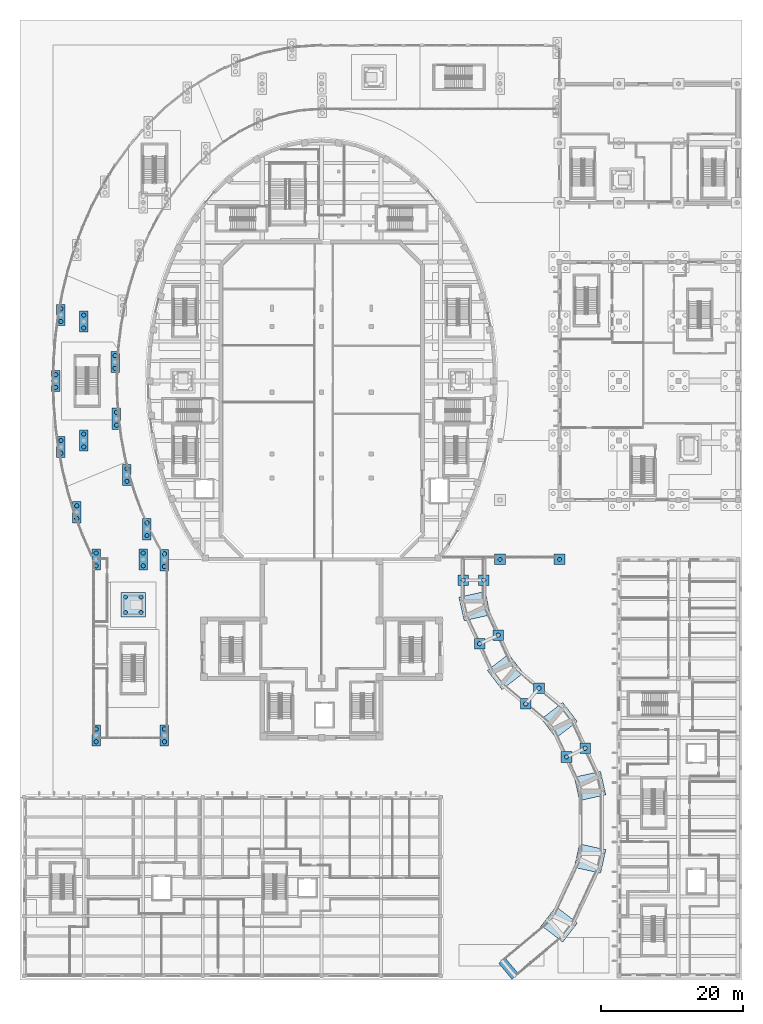
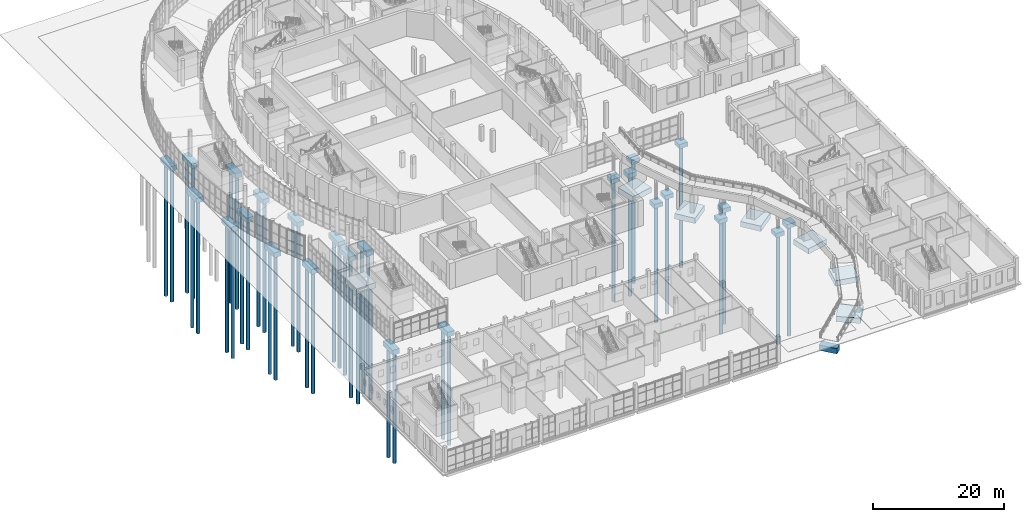
# One storey, part 1 of 110: 44 piles, 33 footings.
"""IFC4 building model written with IfcOpenShell, lengths in metres."""

from ifc_helpers import new_model, si_unit, direction, frame, origin, origin_2d, place, context, subcontext, project, spatial, polyline, circle, outline, extrude, material, material_profile, profile_set, type_object, element, save


model = new_model("IFC4")

# Units and contexts
model_context = context("Model", 3, precision=1e-05, world=origin(), true_north=direction((0.0, 1.0)))
body_context = subcontext(model_context, "Body", "Model", "MODEL_VIEW")
ifc_project = project(units=[si_unit("LENGTHUNIT", "METRE"), si_unit("AREAUNIT", "SQUARE_METRE"), si_unit("VOLUMEUNIT", "CUBIC_METRE"), si_unit("PLANEANGLEUNIT", "RADIAN"), si_unit("MASSUNIT", "GRAM", prefix="KILO")], contexts=[model_context])

# Site, building, storey
site_placement = place(None, origin())
site = spatial("IfcSite", under=ifc_project, at=site_placement, CompositionType="ELEMENT")
building_placement = place(site_placement, origin())
building = spatial("IfcBuilding", under=site, at=building_placement, Name="Larchfold Concert Hall", CompositionType="ELEMENT")
storey_placement = place(building_placement, origin())
storey = spatial("IfcBuildingStorey", under=building, at=storey_placement, Name="L00", CompositionType="ELEMENT", Elevation=0.0)

# Piles
ifc_material_1 = material(Name="Concrete C30/37", Category="concrete")
ifc_material_profile = material_profile(ifc_material_1, circle(Radius=0.300048828125, at=origin_2d()))
ifc_profile_set = profile_set([ifc_material_profile], Name="Concrete C30/37")
pile_type = type_object("IfcPileType", Name="Bored pile D600", PredefinedType="BORED", material=ifc_profile_set)
for number, where, z_axis, x_axis, name in (
    (1, (5.0458984375, 83.699951171875, -1.199951171875), (0.0, 0.0, -1.0), (1.0, 0.0, 0.0), "Pile P0001"),
    (2, (5.0458984375, 85.5, -1.199951171875), (0.0, 0.0, -1.0), (1.0, 0.0, 0.0), "Pile P0002"),
):
    element("IfcPile", number, at=place(storey_placement, frame(where, z_axis=z_axis, x_axis=x_axis)), inside=storey, type_object=pile_type, Name=name, PredefinedType="BORED", context=body_context, shape_type="SweptSolid", body=[
        extrude(circle(Radius=0.300048828125, at=origin_2d()), origin(), (0.0, 0.0, 1.0), 24.800048828125),
    ])
for number, where, z_axis, x_axis, name in (
    (3, (5.77294921875, 74.389892578125, -1.199951171875), (0.0, 0.0, -1.0), (1.0, 0.0, 0.0), "Pile P0003"),
    (4, (5.77294921875, 76.18994140625, -1.199951171875), (0.0, 0.0, -1.0), (1.0, 0.0, 0.0), "Pile P0004"),
):
    element("IfcPile", number, at=place(storey_placement, frame(where, z_axis=z_axis, x_axis=x_axis)), inside=storey, type_object=pile_type, Name=name, PredefinedType="BORED", context=body_context, shape_type="SweptSolid", body=[
        extrude(circle(Radius=0.300048828125, at=origin_2d()), origin(), (0.0, 0.0, 1.0), 24.02978515625),
    ])
for number, where, z_axis, x_axis, name in (
    (5, (5.77294921875, 93.010986328125, -1.199951171875), (0.0, 0.0, -1.0), (1.0, 0.0, 0.0), "Pile P0005"),
    (6, (5.77294921875, 94.81103515625, -1.199951171875), (0.0, 0.0, -1.0), (1.0, 0.0, 0.0), "Pile P0006"),
):
    element("IfcPile", number, at=place(storey_placement, frame(where, z_axis=z_axis, x_axis=x_axis)), inside=storey, type_object=pile_type, Name=name, PredefinedType="BORED", context=body_context, shape_type="SweptSolid", body=[
        extrude(circle(Radius=0.300048828125, at=origin_2d()), origin(), (0.0, 0.0, 1.0), 24.800048828125),
    ])
for number, where, z_axis, x_axis, name in (
    (7, (8.01806640625, 65.178955078125, -1.199951171875), (0.0, 0.0, -1.0), (1.0, 0.0, 0.0), "Pile P0007"),
    (8, (8.01806640625, 66.97900390625, -1.199951171875), (0.0, 0.0, -1.0), (1.0, 0.0, 0.0), "Pile P0008"),
):
    element("IfcPile", number, at=place(storey_placement, frame(where, z_axis=z_axis, x_axis=x_axis)), inside=storey, type_object=pile_type, Name=name, PredefinedType="BORED", context=body_context, shape_type="SweptSolid", body=[
        extrude(circle(Radius=0.300048828125, at=origin_2d()), origin(), (0.0, 0.0, 1.0), 23.267578125),
    ])
for number, where, z_axis, x_axis, name in (
    (9, (9.0, 75.300048828125, -1.199951171875), (0.0, 0.0, -1.0), (1.0, 0.0, 0.0), "Pile P0011"),
    (10, (9.0, 77.10009765625, -1.199951171875), (0.0, 0.0, -1.0), (1.0, 0.0, 0.0), "Pile P0012"),
):
    element("IfcPile", number, at=place(storey_placement, frame(where, z_axis=z_axis, x_axis=x_axis)), inside=storey, type_object=pile_type, Name=name, PredefinedType="BORED", context=body_context, shape_type="SweptSolid", body=[
        extrude(circle(Radius=0.300048828125, at=origin_2d()), origin(), (0.0, 0.0, 1.0), 24.10498046875),
    ])
for number, where, z_axis, x_axis, name in (
    (11, (9.0, 92.10009765625, -1.199951171875), (0.0, 0.0, -1.0), (1.0, 0.0, 0.0), "Pile P0013"),
    (12, (9.0, 93.89990234375, -1.199951171875), (0.0, 0.0, -1.0), (1.0, 0.0, 0.0), "Pile P0014"),
):
    element("IfcPile", number, at=place(storey_placement, frame(where, z_axis=z_axis, x_axis=x_axis)), inside=storey, type_object=pile_type, Name=name, PredefinedType="BORED", context=body_context, shape_type="SweptSolid", body=[
        extrude(circle(Radius=0.300048828125, at=origin_2d()), origin(), (0.0, 0.0, 1.0), 24.800048828125),
    ])
for number, where, z_axis, x_axis, name in (
    (13, (10.758056640625, 33.64990234375, -1.199951171875), (0.0, 0.0, -1.0), (1.0, 0.0, 0.0), "Pile P0015"),
    (14, (10.758056640625, 35.449951171875, -1.199951171875), (0.0, 0.0, -1.0), (1.0, 0.0, 0.0), "Pile P0016"),
):
    element("IfcPile", number, at=place(storey_placement, frame(where, z_axis=z_axis, x_axis=x_axis)), inside=storey, type_object=pile_type, Name=name, PredefinedType="BORED", context=body_context, shape_type="SweptSolid", body=[
        extrude(circle(Radius=0.300048828125, at=origin_2d()), origin(), (0.0, 0.0, 1.0), 20.65869140625),
    ])
for number, where, z_axis, x_axis, name in (
    (15, (10.758056640625, 58.5, -1.199951171875), (0.0, 0.0, -1.0), (1.0, 0.0, 0.0), "Pile P0017"),
    (16, (10.758056640625, 60.300048828125, -1.199951171875), (0.0, 0.0, -1.0), (1.0, 0.0, 0.0), "Pile P0018"),
):
    element("IfcPile", number, at=place(storey_placement, frame(where, z_axis=z_axis, x_axis=x_axis)), inside=storey, type_object=pile_type, Name=name, PredefinedType="BORED", context=body_context, shape_type="SweptSolid", body=[
        extrude(circle(Radius=0.300048828125, at=origin_2d()), origin(), (0.0, 0.0, 1.0), 22.71484375),
    ])
for number, where, z_axis, x_axis, name in (
    (17, (13.41796875, 86.387939453125, -1.199951171875), (0.0, 0.0, -1.0), (1.0, 0.0, 0.0), "Pile P0021"),
    (18, (13.41796875, 88.18798828125, -1.199951171875), (0.0, 0.0, -1.0), (1.0, 0.0, 0.0), "Pile P0022"),
):
    element("IfcPile", number, at=place(storey_placement, frame(where, z_axis=z_axis, x_axis=x_axis)), inside=storey, type_object=pile_type, Name=name, PredefinedType="BORED", context=body_context, shape_type="SweptSolid", body=[
        extrude(circle(Radius=0.300048828125, at=origin_2d()), origin(), (0.0, 0.0, 1.0), 24.800048828125),
    ])
for number, where, z_axis, x_axis, name in (
    (19, (13.625, 78.35693359375, -1.199951171875), (0.0, 0.0, -1.0), (1.0, 0.0, 0.0), "Pile P0023"),
    (20, (13.625, 80.156982421875, -1.199951171875), (0.0, 0.0, -1.0), (1.0, 0.0, 0.0), "Pile P0024"),
):
    element("IfcPile", number, at=place(storey_placement, frame(where, z_axis=z_axis, x_axis=x_axis)), inside=storey, type_object=pile_type, Name=name, PredefinedType="BORED", context=body_context, shape_type="SweptSolid", body=[
        extrude(circle(Radius=0.300048828125, at=origin_2d()), origin(), (0.0, 0.0, 1.0), 24.35791015625),
    ])
for number, where, z_axis, x_axis, name in (
    (21, (15.09912109375, 70.427001953125, -1.199951171875), (0.0, 0.0, -1.0), (1.0, 0.0, 0.0), "Pile P0027"),
    (22, (15.09912109375, 72.22705078125, -1.199951171875), (0.0, 0.0, -1.0), (1.0, 0.0, 0.0), "Pile P0028"),
):
    element("IfcPile", number, at=place(storey_placement, frame(where, z_axis=z_axis, x_axis=x_axis)), inside=storey, type_object=pile_type, Name=name, PredefinedType="BORED", context=body_context, shape_type="SweptSolid", body=[
        extrude(circle(Radius=0.300048828125, at=origin_2d()), origin(), (0.0, 0.0, 1.0), 23.70166015625),
    ])
for number, where, z_axis, x_axis, name in (
    (23, (17.39990234375, 58.5, -1.199951171875), (0.0, 0.0, -1.0), (1.0, 0.0, 0.0), "Pile P0031"),
    (24, (17.39990234375, 60.300048828125, -1.199951171875), (0.0, 0.0, -1.0), (1.0, 0.0, 0.0), "Pile P0032"),
):
    element("IfcPile", number, at=place(storey_placement, frame(where, z_axis=z_axis, x_axis=x_axis)), inside=storey, type_object=pile_type, Name=name, PredefinedType="BORED", context=body_context, shape_type="SweptSolid", body=[
        extrude(circle(Radius=0.300048828125, at=origin_2d()), origin(), (0.0, 0.0, 1.0), 22.71484375),
    ])
for number, where, z_axis, x_axis, name in (
    (25, (17.93310546875, 62.780029296875, -1.199951171875), (0.0, 0.0, -1.0), (1.0, 0.0, 0.0), "Pile P0035"),
    (26, (17.93310546875, 64.580078125, -1.199951171875), (0.0, 0.0, -1.0), (1.0, 0.0, 0.0), "Pile P0036"),
):
    element("IfcPile", number, at=place(storey_placement, frame(where, z_axis=z_axis, x_axis=x_axis)), inside=storey, type_object=pile_type, Name=name, PredefinedType="BORED", context=body_context, shape_type="SweptSolid", body=[
        extrude(circle(Radius=0.300048828125, at=origin_2d()), origin(), (0.0, 0.0, 1.0), 23.069091796875),
    ])
for number, where, z_axis, x_axis, name in (
    (27, (20.39892578125, 33.64990234375, -1.199951171875), (0.0, 0.0, -1.0), (1.0, 0.0, 0.0), "Pile P0039"),
    (28, (20.39892578125, 35.449951171875, -1.199951171875), (0.0, 0.0, -1.0), (1.0, 0.0, 0.0), "Pile P0040"),
):
    element("IfcPile", number, at=place(storey_placement, frame(where, z_axis=z_axis, x_axis=x_axis)), inside=storey, type_object=pile_type, Name=name, PredefinedType="BORED", context=body_context, shape_type="SweptSolid", body=[
        extrude(circle(Radius=0.300048828125, at=origin_2d()), origin(), (0.0, 0.0, 1.0), 20.65869140625),
    ])
for number, where, z_axis, x_axis, name in (
    (29, (20.39892578125, 58.40087890625, -1.199951171875), (0.0, 0.0, -1.0), (1.0, 0.0, 0.0), "Pile P0041"),
    (30, (20.39892578125, 60.200927734375, -1.199951171875), (0.0, 0.0, -1.0), (1.0, 0.0, 0.0), "Pile P0042"),
):
    element("IfcPile", number, at=place(storey_placement, frame(where, z_axis=z_axis, x_axis=x_axis)), inside=storey, type_object=pile_type, Name=name, PredefinedType="BORED", context=body_context, shape_type="SweptSolid", body=[
        extrude(circle(Radius=0.300048828125, at=origin_2d()), origin(), (0.0, 0.0, 1.0), 22.706787109375),
    ])
pile_1_placement = place(storey_placement, frame((62.599853515625, 56.471923828125, -1.10009765625), z_axis=(0.0, 0.0, -1.0), x_axis=(1.0, 0.0, 0.0)))
element("IfcPile", 31, at=pile_1_placement, inside=storey, type_object=pile_type, Name="Pile P0061", PredefinedType="BORED", context=body_context, shape_type="SweptSolid", body=[
    extrude(circle(Radius=0.300048828125, at=origin_2d()), origin(), (0.0, 0.0, 1.0), 22.572509765625),
])
pile_2_placement = place(storey_placement, frame((64.91650390625, 47.486083984375, -1.10009765625), z_axis=(0.0, 0.0, -1.0), x_axis=(1.0, 0.0, 0.0)))
element("IfcPile", 32, at=pile_2_placement, inside=storey, type_object=pile_type, Name="Pile P0062", PredefinedType="BORED", context=body_context, shape_type="SweptSolid", body=[
    extrude(circle(Radius=0.300048828125, at=origin_2d()), origin(), (0.0, 0.0, 1.0), 21.8291015625),
])
pile_3_placement = place(storey_placement, frame((65.499755859375, 56.471923828125, -1.10009765625), z_axis=(0.0, 0.0, -1.0), x_axis=(1.0, 0.0, 0.0)))
element("IfcPile", 33, at=pile_3_placement, inside=storey, type_object=pile_type, Name="Pile P0063", PredefinedType="BORED", context=body_context, shape_type="SweptSolid", body=[
    extrude(circle(Radius=0.300048828125, at=origin_2d()), origin(), (0.0, 0.0, 1.0), 22.572509765625),
])
pile_4_placement = place(storey_placement, frame((67.544921875, 48.711669921875, -1.10009765625), z_axis=(0.0, 0.0, -1.0), x_axis=(1.0, 0.0, 0.0)))
element("IfcPile", 34, at=pile_4_placement, inside=storey, type_object=pile_type, Name="Pile P0064", PredefinedType="BORED", context=body_context, shape_type="SweptSolid", body=[
    extrude(circle(Radius=0.300048828125, at=origin_2d()), origin(), (0.0, 0.0, 1.0), 21.930419921875),
])
pile_5_placement = place(storey_placement, frame((67.800048828125, 59.39990234375, -1.10009765625), z_axis=(0.0, 0.0, -1.0), x_axis=(1.0, 0.0, 0.0)))
element("IfcPile", 35, at=pile_5_placement, inside=storey, type_object=pile_type, Name="Pile P0065", PredefinedType="BORED", context=body_context, shape_type="SweptSolid", body=[
    extrude(circle(Radius=0.300048828125, at=origin_2d()), origin(), (0.0, 0.0, 1.0), 22.81494140625),
])
pile_6_placement = place(storey_placement, frame((71.432373046875, 38.99462890625, -1.10009765625), z_axis=(0.0, 0.0, -1.0), x_axis=(1.0, 0.0, 0.0)))
element("IfcPile", 36, at=pile_6_placement, inside=storey, type_object=pile_type, Name="Pile P0069", PredefinedType="BORED", context=body_context, shape_type="SweptSolid", body=[
    extrude(circle(Radius=0.300048828125, at=origin_2d()), origin(), (0.0, 0.0, 1.0), 21.12646484375),
])
pile_7_placement = place(storey_placement, frame((73.296630859375, 41.216064453125, -1.10009765625), z_axis=(0.0, 0.0, -1.0), x_axis=(1.0, 0.0, 0.0)))
element("IfcPile", 37, at=pile_7_placement, inside=storey, type_object=pile_type, Name="Pile P0070", PredefinedType="BORED", context=body_context, shape_type="SweptSolid", body=[
    extrude(circle(Radius=0.300048828125, at=origin_2d()), origin(), (0.0, 0.0, 1.0), 21.310302734375),
])
pile_8_placement = place(storey_placement, frame((76.199951171875, 59.39990234375, -1.10009765625), z_axis=(0.0, 0.0, -1.0), x_axis=(1.0, 0.0, 0.0)))
element("IfcPile", 38, at=pile_8_placement, inside=storey, type_object=pile_type, Name="Pile P0075", PredefinedType="BORED", context=body_context, shape_type="SweptSolid", body=[
    extrude(circle(Radius=0.300048828125, at=origin_2d()), origin(), (0.0, 0.0, 1.0), 22.81494140625),
])
pile_9_placement = place(storey_placement, frame((77.18408203125, 31.498779296875, -1.10009765625), z_axis=(0.0, 0.0, -1.0), x_axis=(1.0, 0.0, 0.0)))
element("IfcPile", 39, at=pile_9_placement, inside=storey, type_object=pile_type, Name="Pile P0099", PredefinedType="BORED", context=body_context, shape_type="SweptSolid", body=[
    extrude(circle(Radius=0.300048828125, at=origin_2d()), origin(), (0.0, 0.0, 1.0), 20.50634765625),
])
pile_10_placement = place(storey_placement, frame((79.812255859375, 32.724365234375, -1.10009765625), z_axis=(0.0, 0.0, -1.0), x_axis=(1.0, 0.0, 0.0)))
element("IfcPile", 40, at=pile_10_placement, inside=storey, type_object=pile_type, Name="Pile P0100", PredefinedType="BORED", context=body_context, shape_type="SweptSolid", body=[
    extrude(circle(Radius=0.300048828125, at=origin_2d()), origin(), (0.0, 0.0, 1.0), 20.607666015625),
])
pile_11_placement = place(storey_placement, frame((14.900146484375, 51.900146484375, -2.300048828125), z_axis=(0.0, 0.0, -1.0), x_axis=(1.0, 0.0, 0.0)))
element("IfcPile", 41, at=pile_11_placement, inside=storey, type_object=pile_type, Name="Pile P0182", PredefinedType="BORED", context=body_context, shape_type="SweptSolid", body=[
    extrude(circle(Radius=0.300048828125, at=origin_2d()), origin(), (0.0, 0.0, 1.0), 20.994384765625),
])
pile_12_placement = place(storey_placement, frame((14.900146484375, 54.10009765625, -2.300048828125), z_axis=(0.0, 0.0, -1.0), x_axis=(1.0, 0.0, 0.0)))
element("IfcPile", 42, at=pile_12_placement, inside=storey, type_object=pile_type, Name="Pile P0183", PredefinedType="BORED", context=body_context, shape_type="SweptSolid", body=[
    extrude(circle(Radius=0.300048828125, at=origin_2d()), origin(), (0.0, 0.0, 1.0), 21.17626953125),
])
pile_13_placement = place(storey_placement, frame((17.10009765625, 51.900146484375, -2.300048828125), z_axis=(0.0, 0.0, -1.0), x_axis=(1.0, 0.0, 0.0)))
element("IfcPile", 43, at=pile_13_placement, inside=storey, type_object=pile_type, Name="Pile P0184", PredefinedType="BORED", context=body_context, shape_type="SweptSolid", body=[
    extrude(circle(Radius=0.300048828125, at=origin_2d()), origin(), (0.0, 0.0, 1.0), 20.994384765625),
])
pile_14_placement = place(storey_placement, frame((17.10009765625, 54.10009765625, -2.300048828125), z_axis=(0.0, 0.0, -1.0), x_axis=(1.0, 0.0, 0.0)))
element("IfcPile", 44, at=pile_14_placement, inside=storey, type_object=pile_type, Name="Pile P0185", PredefinedType="BORED", context=body_context, shape_type="SweptSolid", body=[
    extrude(circle(Radius=0.300048828125, at=origin_2d()), origin(), (0.0, 0.0, 1.0), 21.17626953125),
])

# Footings
ifc_material_2 = material(Name="Concrete C30/37", Category="concrete")
footing_type_1 = type_object("IfcFootingType", Name="Pad footing 3400x3400x1000", PredefinedType="PAD_FOOTING", material=ifc_material_2)
footing_1_placement = place(storey_placement, frame((0.0, 0.0, -2.39990234375)))
element("IfcFooting", 45, at=footing_1_placement, inside=storey, type_object=footing_type_1, Name="Pit footing PC0080", PredefinedType="PAD_FOOTING", context=body_context, shape_type="SweptSolid", body=[
    extrude(outline(polyline([(17.7001953125, 51.300048828125), (17.7001953125, 54.7001953125), (14.300048828125, 54.7001953125), (14.300048828125, 51.300048828125), (17.7001953125, 51.300048828125)])), origin(), (0.0, 0.0, 1.0), 1.0),
])
ifc_material_3 = material(Name="Concrete C30/37", Category="concrete")
footing_type_2 = type_object("IfcFootingType", Name="Pile cap 1200x3000x900", PredefinedType="PILE_CAP", material=ifc_material_3)
footing_2_placement = place(storey_placement, frame((0.0, 0.0, -1.300048828125)))
element("IfcFooting", 46, at=footing_2_placement, inside=storey, type_object=footing_type_2, Name="Pile cap PC0001", PredefinedType="PILE_CAP", context=body_context, shape_type="SweptSolid", body=[
    extrude(outline(polyline([(5.64599609375, 83.10009765625), (5.64599609375, 86.10009765625), (4.446044921875, 86.10009765625), (4.446044921875, 83.10009765625), (5.64599609375, 83.10009765625)])), origin(), (0.0, 0.0, 1.0), 0.900146484375),
])
footing_3_placement = place(storey_placement, frame((0.0, 0.0, -1.300048828125)))
element("IfcFooting", 47, at=footing_3_placement, inside=storey, type_object=footing_type_2, Name="Pile cap PC0002", PredefinedType="PILE_CAP", context=body_context, shape_type="SweptSolid", body=[
    extrude(outline(polyline([(6.373046875, 73.7900390625), (6.373046875, 76.7900390625), (5.173095703125, 76.7900390625), (5.173095703125, 73.7900390625), (6.373046875, 73.7900390625)])), origin(), (0.0, 0.0, 1.0), 0.900146484375),
])
footing_4_placement = place(storey_placement, frame((0.0, 0.0, -1.300048828125)))
element("IfcFooting", 48, at=footing_4_placement, inside=storey, type_object=footing_type_2, Name="Pile cap PC0003", PredefinedType="PILE_CAP", context=body_context, shape_type="SweptSolid", body=[
    extrude(outline(polyline([(6.373046875, 92.410888671875), (6.373046875, 95.410888671875), (5.173095703125, 95.410888671875), (5.173095703125, 92.410888671875), (6.373046875, 92.410888671875)])), origin(), (0.0, 0.0, 1.0), 0.900146484375),
])
footing_5_placement = place(storey_placement, frame((0.0, 0.0, -1.300048828125)))
element("IfcFooting", 49, at=footing_5_placement, inside=storey, type_object=footing_type_2, Name="Pile cap PC0004", PredefinedType="PILE_CAP", context=body_context, shape_type="SweptSolid", body=[
    extrude(outline(polyline([(8.617919921875, 64.5791015625), (8.617919921875, 67.5791015625), (7.41796875, 67.5791015625), (7.41796875, 64.5791015625), (8.617919921875, 64.5791015625)])), origin(), (0.0, 0.0, 1.0), 0.900146484375),
])
footing_6_placement = place(storey_placement, frame((0.0, 0.0, -1.300048828125)))
element("IfcFooting", 50, at=footing_6_placement, inside=storey, type_object=footing_type_2, Name="Pile cap PC0006", PredefinedType="PILE_CAP", context=body_context, shape_type="SweptSolid", body=[
    extrude(outline(polyline([(9.60009765625, 74.699951171875), (9.60009765625, 77.699951171875), (8.39990234375, 77.699951171875), (8.39990234375, 74.699951171875), (9.60009765625, 74.699951171875)])), origin(), (0.0, 0.0, 1.0), 0.900146484375),
])
footing_7_placement = place(storey_placement, frame((0.0, 0.0, -1.300048828125)))
element("IfcFooting", 51, at=footing_7_placement, inside=storey, type_object=footing_type_2, Name="Pile cap PC0007", PredefinedType="PILE_CAP", context=body_context, shape_type="SweptSolid", body=[
    extrude(outline(polyline([(9.60009765625, 91.5), (9.60009765625, 94.5), (8.39990234375, 94.5), (8.39990234375, 91.5), (9.60009765625, 91.5)])), origin(), (0.0, 0.0, 1.0), 0.900146484375),
])
footing_8_placement = place(storey_placement, frame((0.0, 0.0, -1.300048828125)))
element("IfcFooting", 52, at=footing_8_placement, inside=storey, type_object=footing_type_2, Name="Pile cap PC0008", PredefinedType="PILE_CAP", context=body_context, shape_type="SweptSolid", body=[
    extrude(outline(polyline([(11.35791015625, 33.050048828125), (11.35791015625, 36.050048828125), (10.157958984375, 36.050048828125), (10.157958984375, 33.050048828125), (11.35791015625, 33.050048828125)])), origin(), (0.0, 0.0, 1.0), 0.900146484375),
])
footing_9_placement = place(storey_placement, frame((0.0, 0.0, -1.300048828125)))
element("IfcFooting", 53, at=footing_9_placement, inside=storey, type_object=footing_type_2, Name="Pile cap PC0009", PredefinedType="PILE_CAP", context=body_context, shape_type="SweptSolid", body=[
    extrude(outline(polyline([(11.35791015625, 57.89990234375), (11.35791015625, 60.89990234375), (10.157958984375, 60.89990234375), (10.157958984375, 57.89990234375), (11.35791015625, 57.89990234375)])), origin(), (0.0, 0.0, 1.0), 0.900146484375),
])
footing_10_placement = place(storey_placement, frame((0.0, 0.0, -1.300048828125)))
element("IfcFooting", 54, at=footing_10_placement, inside=storey, type_object=footing_type_2, Name="Pile cap PC0011", PredefinedType="PILE_CAP", context=body_context, shape_type="SweptSolid", body=[
    extrude(outline(polyline([(14.01806640625, 85.7880859375), (14.01806640625, 88.7880859375), (12.818115234375, 88.7880859375), (12.818115234375, 85.7880859375), (14.01806640625, 85.7880859375)])), origin(), (0.0, 0.0, 1.0), 0.900146484375),
])
footing_11_placement = place(storey_placement, frame((0.0, 0.0, -1.300048828125)))
element("IfcFooting", 55, at=footing_11_placement, inside=storey, type_object=footing_type_2, Name="Pile cap PC0012", PredefinedType="PILE_CAP", context=body_context, shape_type="SweptSolid", body=[
    extrude(outline(polyline([(14.22509765625, 77.757080078125), (14.22509765625, 80.757080078125), (13.02490234375, 80.757080078125), (13.02490234375, 77.757080078125), (14.22509765625, 77.757080078125)])), origin(), (0.0, 0.0, 1.0), 0.900146484375),
])
footing_12_placement = place(storey_placement, frame((0.0, 0.0, -1.300048828125)))
element("IfcFooting", 56, at=footing_12_placement, inside=storey, type_object=footing_type_2, Name="Pile cap PC0014", PredefinedType="PILE_CAP", context=body_context, shape_type="SweptSolid", body=[
    extrude(outline(polyline([(15.698974609375, 69.826904296875), (15.698974609375, 72.826904296875), (14.4990234375, 72.826904296875), (14.4990234375, 69.826904296875), (15.698974609375, 69.826904296875)])), origin(), (0.0, 0.0, 1.0), 0.900146484375),
])
footing_13_placement = place(storey_placement, frame((0.0, 0.0, -1.300048828125)))
element("IfcFooting", 57, at=footing_13_placement, inside=storey, type_object=footing_type_2, Name="Pile cap PC0016", PredefinedType="PILE_CAP", context=body_context, shape_type="SweptSolid", body=[
    extrude(outline(polyline([(18.0, 57.89990234375), (18.0, 60.89990234375), (16.800048828125, 60.89990234375), (16.800048828125, 57.89990234375), (18.0, 57.89990234375)])), origin(), (0.0, 0.0, 1.0), 0.900146484375),
])
footing_14_placement = place(storey_placement, frame((0.0, 0.0, -1.300048828125)))
element("IfcFooting", 58, at=footing_14_placement, inside=storey, type_object=footing_type_2, Name="Pile cap PC0018", PredefinedType="PILE_CAP", context=body_context, shape_type="SweptSolid", body=[
    extrude(outline(polyline([(18.532958984375, 62.179931640625), (18.532958984375, 65.179931640625), (17.3330078125, 65.179931640625), (17.3330078125, 62.179931640625), (18.532958984375, 62.179931640625)])), origin(), (0.0, 0.0, 1.0), 0.900146484375),
])
footing_15_placement = place(storey_placement, frame((0.0, 0.0, -1.300048828125)))
element("IfcFooting", 59, at=footing_15_placement, inside=storey, type_object=footing_type_2, Name="Pile cap PC0020", PredefinedType="PILE_CAP", context=body_context, shape_type="SweptSolid", body=[
    extrude(outline(polyline([(20.9990234375, 33.050048828125), (20.9990234375, 36.050048828125), (19.799072265625, 36.050048828125), (19.799072265625, 33.050048828125), (20.9990234375, 33.050048828125)])), origin(), (0.0, 0.0, 1.0), 0.900146484375),
])
footing_16_placement = place(storey_placement, frame((0.0, 0.0, -1.300048828125)))
element("IfcFooting", 60, at=footing_16_placement, inside=storey, type_object=footing_type_2, Name="Pile cap PC0021", PredefinedType="PILE_CAP", context=body_context, shape_type="SweptSolid", body=[
    extrude(outline(polyline([(20.9990234375, 57.801025390625), (20.9990234375, 60.801025390625), (19.799072265625, 60.801025390625), (19.799072265625, 57.801025390625), (20.9990234375, 57.801025390625)])), origin(), (0.0, 0.0, 1.0), 0.900146484375),
])
ifc_material_4 = material(Name="Concrete C30/37", Category="concrete")
footing_type_3 = type_object("IfcFootingType", Name="Pile cap 1500x1500x800", PredefinedType="PILE_CAP", material=ifc_material_4)
footing_17_placement = place(storey_placement, frame((0.0, 0.0, -1.199951171875)))
element("IfcFooting", 61, at=footing_17_placement, inside=storey, type_object=footing_type_3, Name="Pile cap PC0031", PredefinedType="PILE_CAP", context=body_context, shape_type="SweptSolid", body=[
    extrude(outline(polyline([(63.349853515625, 55.721923828125), (63.349853515625, 57.221923828125), (61.849853515625, 57.221923828125), (61.849853515625, 55.721923828125), (63.349853515625, 55.721923828125)])), origin(), (0.0, 0.0, 1.0), 0.800048828125),
])
footing_18_placement = place(storey_placement, frame((0.0, 0.0, -1.199951171875)))
element("IfcFooting", 62, at=footing_18_placement, inside=storey, type_object=footing_type_3, Name="Pile cap PC0032", PredefinedType="PILE_CAP", context=body_context, shape_type="SweptSolid", body=[
    extrude(outline(polyline([(65.66650390625, 46.736083984375), (65.66650390625, 48.236083984375), (64.16650390625, 48.236083984375), (64.16650390625, 46.736083984375), (65.66650390625, 46.736083984375)])), origin(), (0.0, 0.0, 1.0), 0.800048828125),
])
footing_19_placement = place(storey_placement, frame((0.0, 0.0, -1.199951171875)))
element("IfcFooting", 63, at=footing_19_placement, inside=storey, type_object=footing_type_3, Name="Pile cap PC0033", PredefinedType="PILE_CAP", context=body_context, shape_type="SweptSolid", body=[
    extrude(outline(polyline([(66.249755859375, 55.721923828125), (66.249755859375, 57.221923828125), (64.749755859375, 57.221923828125), (64.749755859375, 55.721923828125), (66.249755859375, 55.721923828125)])), origin(), (0.0, 0.0, 1.0), 0.800048828125),
])
footing_20_placement = place(storey_placement, frame((0.0, 0.0, -1.199951171875)))
element("IfcFooting", 64, at=footing_20_placement, inside=storey, type_object=footing_type_3, Name="Pile cap PC0034", PredefinedType="PILE_CAP", context=body_context, shape_type="SweptSolid", body=[
    extrude(outline(polyline([(68.294921875, 47.961669921875), (68.294921875, 49.461669921875), (66.794921875, 49.461669921875), (66.794921875, 47.961669921875), (68.294921875, 47.961669921875)])), origin(), (0.0, 0.0, 1.0), 0.800048828125),
])
footing_21_placement = place(storey_placement, frame((0.0, 0.0, -1.199951171875)))
element("IfcFooting", 65, at=footing_21_placement, inside=storey, type_object=footing_type_3, Name="Pile cap PC0035", PredefinedType="PILE_CAP", context=body_context, shape_type="SweptSolid", body=[
    extrude(outline(polyline([(68.550048828125, 58.64990234375), (68.550048828125, 60.14990234375), (67.050048828125, 60.14990234375), (67.050048828125, 58.64990234375), (68.550048828125, 58.64990234375)])), origin(), (0.0, 0.0, 1.0), 0.800048828125),
])
footing_22_placement = place(storey_placement, frame((0.0, 0.0, -1.199951171875)))
element("IfcFooting", 66, at=footing_22_placement, inside=storey, type_object=footing_type_3, Name="Pile cap PC0038", PredefinedType="PILE_CAP", context=body_context, shape_type="SweptSolid", body=[
    extrude(outline(polyline([(72.182373046875, 38.24462890625), (72.182373046875, 39.74462890625), (70.682373046875, 39.74462890625), (70.682373046875, 38.24462890625), (72.182373046875, 38.24462890625)])), origin(), (0.0, 0.0, 1.0), 0.800048828125),
])
footing_23_placement = place(storey_placement, frame((0.0, 0.0, -1.199951171875)))
element("IfcFooting", 67, at=footing_23_placement, inside=storey, type_object=footing_type_3, Name="Pile cap PC0039", PredefinedType="PILE_CAP", context=body_context, shape_type="SweptSolid", body=[
    extrude(outline(polyline([(74.046630859375, 40.466064453125), (74.046630859375, 41.966064453125), (72.546630859375, 41.966064453125), (72.546630859375, 40.466064453125), (74.046630859375, 40.466064453125)])), origin(), (0.0, 0.0, 1.0), 0.800048828125),
])
footing_24_placement = place(storey_placement, frame((0.0, 0.0, -1.199951171875)))
element("IfcFooting", 68, at=footing_24_placement, inside=storey, type_object=footing_type_3, Name="Pile cap PC0042", PredefinedType="PILE_CAP", context=body_context, shape_type="SweptSolid", body=[
    extrude(outline(polyline([(76.949951171875, 58.64990234375), (76.949951171875, 60.14990234375), (75.449951171875, 60.14990234375), (75.449951171875, 58.64990234375), (76.949951171875, 58.64990234375)])), origin(), (0.0, 0.0, 1.0), 0.800048828125),
])
footing_25_placement = place(storey_placement, frame((0.0, 0.0, -1.199951171875)))
element("IfcFooting", 69, at=footing_25_placement, inside=storey, type_object=footing_type_3, Name="Pile cap PC0051", PredefinedType="PILE_CAP", context=body_context, shape_type="SweptSolid", body=[
    extrude(outline(polyline([(77.93408203125, 30.748779296875), (77.93408203125, 32.248779296875), (76.43408203125, 32.248779296875), (76.43408203125, 30.748779296875), (77.93408203125, 30.748779296875)])), origin(), (0.0, 0.0, 1.0), 0.800048828125),
])
footing_26_placement = place(storey_placement, frame((0.0, 0.0, -1.199951171875)))
element("IfcFooting", 70, at=footing_26_placement, inside=storey, type_object=footing_type_3, Name="Pile cap PC0052", PredefinedType="PILE_CAP", context=body_context, shape_type="SweptSolid", body=[
    extrude(outline(polyline([(80.562255859375, 31.974365234375), (80.562255859375, 33.474365234375), (79.062255859375, 33.474365234375), (79.062255859375, 31.974365234375), (80.562255859375, 31.974365234375)])), origin(), (0.0, 0.0, 1.0), 0.800048828125),
])
ifc_material_5 = material(Name="Concrete C30/37", Category="concrete")
footing_type_4 = type_object("IfcFootingType", Name="Strip footing 1200x1000", PredefinedType="STRIP_FOOTING", material=ifc_material_5)
footing_27_placement = place(storey_placement, frame((0.0, 0.0, -1.85009765625)))
element("IfcFooting", 71, at=footing_27_placement, inside=storey, type_object=footing_type_4, Name="Ground beam GB0021", PredefinedType="STRIP_FOOTING", context=body_context, shape_type="SweptSolid", body=[
    extrude(outline(polyline([(69.472412109375, 0.12451171875), (70.3916015625, 0.895751953125), (68.527587890625, 3.1171875), (67.6083984375, 2.345947265625), (69.472412109375, 0.12451171875)])), origin(), (0.0, 0.0, 1.0), 1.0),
])
ifc_material_6 = material(Name="Concrete C30/37", Category="concrete")
footing_type_5 = type_object("IfcFootingType", Name="Strip footing 3400x1000", PredefinedType="STRIP_FOOTING", material=ifc_material_6)
footing_28_placement = place(storey_placement, frame((0.0, 0.0, -1.85009765625)))
element("IfcFooting", 72, at=footing_28_placement, inside=storey, type_object=footing_type_5, Name="Ground beam GB0015", PredefinedType="STRIP_FOOTING", context=body_context, shape_type="SweptSolid", body=[
    extrude(outline(polyline([(76.658203125, 5.35693359375), (78.727783203125, 8.054443359375), (75.712890625, 10.367431640625), (73.643310546875, 7.669921875), (76.658203125, 5.35693359375)])), origin(), (0.0, 0.0, 1.0), 1.0),
])
footing_29_placement = place(storey_placement, frame((0.0, 0.0, -1.85009765625)))
element("IfcFooting", 73, at=footing_29_placement, inside=storey, type_object=footing_type_5, Name="Ground beam GB0016", PredefinedType="STRIP_FOOTING", context=body_context, shape_type="SweptSolid", body=[
    extrude(outline(polyline([(82.003662109375, 15.07958984375), (82.739501953125, 18.39892578125), (79.029541015625, 19.221435546875), (78.293701171875, 15.902099609375), (82.003662109375, 15.07958984375)])), origin(), (0.0, 0.0, 1.0), 1.0),
])
footing_30_placement = place(storey_placement, frame((0.0, 0.0, -1.85009765625)))
element("IfcFooting", 74, at=footing_30_placement, inside=storey, type_object=footing_type_5, Name="Ground beam GB0017", PredefinedType="STRIP_FOOTING", context=body_context, shape_type="SweptSolid", body=[
    extrude(outline(polyline([(82.739501953125, 26.150634765625), (82.00341796875, 29.469970703125), (78.293701171875, 28.647216796875), (79.02978515625, 25.327880859375), (82.739501953125, 26.150634765625)])), origin(), (0.0, 0.0, 1.0), 1.0),
])
footing_31_placement = place(storey_placement, frame((0.0, 0.0, -1.85009765625)))
element("IfcFooting", 75, at=footing_31_placement, inside=storey, type_object=footing_type_5, Name="Ground beam GB0018", PredefinedType="STRIP_FOOTING", context=body_context, shape_type="SweptSolid", body=[
    extrude(outline(polyline([(78.727783203125, 36.494873046875), (76.658203125, 39.1923828125), (73.643310546875, 36.87939453125), (75.712890625, 34.181884765625), (78.727783203125, 36.494873046875)])), origin(), (0.0, 0.0, 1.0), 1.0),
])
footing_32_placement = place(storey_placement, frame((0.0, 0.0, -1.85009765625)))
element("IfcFooting", 76, at=footing_32_placement, inside=storey, type_object=footing_type_5, Name="Ground beam GB0019", PredefinedType="STRIP_FOOTING", context=body_context, shape_type="SweptSolid", body=[
    extrude(outline(polyline([(71.085693359375, 43.331298828125), (69.015869140625, 46.02880859375), (66.001220703125, 43.715576171875), (68.071044921875, 41.01806640625), (71.085693359375, 43.331298828125)])), origin(), (0.0, 0.0, 1.0), 1.0),
])
footing_33_placement = place(storey_placement, frame((0.0, 0.0, -1.85009765625)))
element("IfcFooting", 77, at=footing_33_placement, inside=storey, type_object=footing_type_5, Name="Ground beam GB0020", PredefinedType="STRIP_FOOTING", context=body_context, shape_type="SweptSolid", body=[
    extrude(outline(polyline([(66.43505859375, 51.563232421875), (65.69921875, 54.882568359375), (61.9892578125, 54.06005859375), (62.72509765625, 50.74072265625), (66.43505859375, 51.563232421875)])), origin(), (0.0, 0.0, 1.0), 1.0),
])

save(model, "model.ifc")
